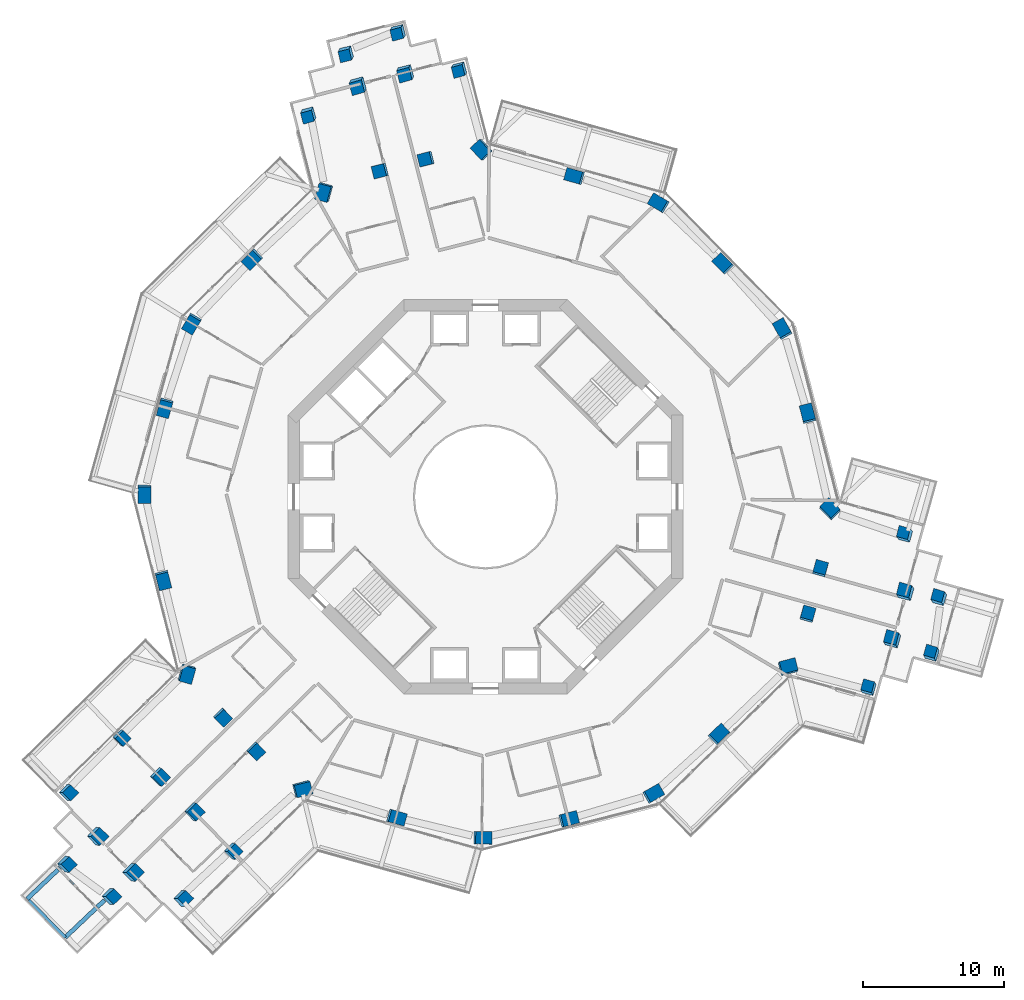
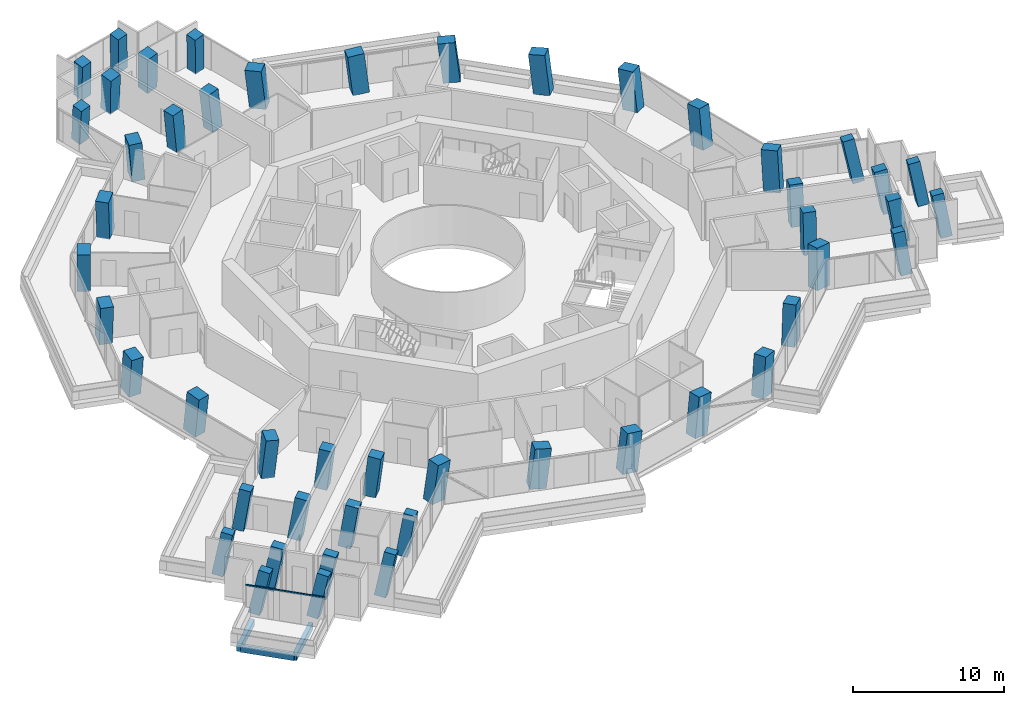
# One storey, part 1 of 26: 49 columns, 3 beams, 1 member, 1 element without a shape of its own.
"""IFC4 building model written with IfcOpenShell, lengths in metres."""

from ifc_helpers import new_model, si_unit, direction, frame, origin, origin_2d, place, context, subcontext, project, spatial, rectangle, extrude, material, layer, layer_set, material_profile, profile_set, type_object, element, aggregate, save


model = new_model("IFC4")

# Units and contexts
model_context = context("Model", 3, precision=1e-05, world=origin(), true_north=direction((0.0, 1.0)))
body_context = subcontext(model_context, "Body", "Model", "MODEL_VIEW")
ifc_project = project(units=[si_unit("LENGTHUNIT", "METRE"), si_unit("AREAUNIT", "SQUARE_METRE"), si_unit("VOLUMEUNIT", "CUBIC_METRE"), si_unit("PLANEANGLEUNIT", "RADIAN"), si_unit("MASSUNIT", "GRAM", prefix="KILO")], contexts=[model_context])

# Site, building, storey
site_placement = place(None, origin())
site = spatial("IfcSite", under=ifc_project, at=site_placement, CompositionType="ELEMENT")
building_placement = place(site_placement, origin())
building = spatial("IfcBuilding", under=site, at=building_placement, Name="Verdalira Terraces Hotel", CompositionType="ELEMENT")
storey_placement = place(building_placement, frame((0.0, 0.0, 93.0)))
storey = spatial("IfcBuildingStorey", under=building, at=storey_placement, Name="L21", CompositionType="ELEMENT", Elevation=93.0)

# Columns
ifc_material_1 = material(Name="Concrete C80", Category="concrete")
ifc_material_profile_1 = material_profile(ifc_material_1, rectangle(XDim=1.149902, YDim=0.899902, at=origin_2d()), Name="RC 1150X900")
ifc_profile_set_1 = profile_set([ifc_material_profile_1], Name="Concrete C80")
column_type_1 = type_object("IfcColumnType", Name="Column RC 1150X900 C80", PredefinedType="COLUMN", material=ifc_profile_set_1)
column_1_placement = place(storey_placement, frame((-11.416504, 21.625, 0.0), z_axis=(-0.102392644, -0.055111111, 0.993216246), x_axis=(0.261860197, 0.961754302, 0.080361056)))
element("IfcColumn", 1, at=column_1_placement, inside=storey, type_object=column_type_1, Name="Column C03", PredefinedType="COLUMN", context=body_context, shape_type="SweptSolid", body=[
    extrude(rectangle(XDim=1.149902, YDim=0.899902, at=origin_2d()), origin(), (0.0, 0.0, 1.0), 3.21167),
])
column_2_placement = place(storey_placement, frame((-16.517822, 16.867432, 0.0), z_axis=(-0.079548847, -0.079244645, 0.993676138), x_axis=(-0.709905463, -0.695289434, -0.11228017)))
element("IfcColumn", 2, at=column_2_placement, inside=storey, type_object=column_type_1, Name="Column C04", PredefinedType="COLUMN", context=body_context, shape_type="SweptSolid", body=[
    extrude(rectangle(XDim=1.149902, YDim=0.899902, at=origin_2d()), origin(), (0.0, 0.0, 1.0), 3.210205),
])
column_3_placement = place(storey_placement, frame((-20.82373, 12.315186, 0.0), z_axis=(-0.057704047, -0.099518574, 0.993361111), x_axis=(0.505557069, 0.855090222, 0.115033745)))
element("IfcColumn", 3, at=column_3_placement, inside=storey, type_object=column_type_1, Name="Column C05", PredefinedType="COLUMN", context=body_context, shape_type="SweptSolid", body=[
    extrude(rectangle(XDim=1.149902, YDim=0.899902, at=origin_2d()), origin(), (0.0, 0.0, 1.0), 3.211182),
])
column_4_placement = place(storey_placement, frame((-22.73877, 6.348633, 0.0), z_axis=(-0.029279539, -0.108372319, 0.993679098), x_axis=(-0.267305592, -0.957051078, -0.112253975)))
element("IfcColumn", 4, at=column_4_placement, inside=storey, type_object=column_type_1, Name="Column C06", PredefinedType="COLUMN", context=body_context, shape_type="SweptSolid", body=[
    extrude(rectangle(XDim=1.149902, YDim=0.899902, at=origin_2d()), origin(), (0.0, 0.0, 1.0), 3.210205),
])
column_5_placement = place(storey_placement, frame((-24.191406, 0.253418, 0.0), z_axis=(-0.000228077, -0.11510311, 0.993353523), x_axis=(0.010401576, 0.993299538, 0.115099243)))
element("IfcColumn", 5, at=column_5_placement, inside=storey, type_object=column_type_1, Name="Column C07", PredefinedType="COLUMN", context=body_context, shape_type="SweptSolid", body=[
    extrude(rectangle(XDim=1.149902, YDim=0.899902, at=origin_2d()), origin(), (0.0, 0.0, 1.0), 3.211182),
])
column_6_placement = place(storey_placement, frame((-22.866699, -5.871094, 0.0), z_axis=(0.028823141, -0.108524069, 0.993675879), x_axis=(0.246911463, -0.962510976, -0.112282459)))
element("IfcColumn", 6, at=column_6_placement, inside=storey, type_object=column_type_1, Name="Column C08", PredefinedType="COLUMN", context=body_context, shape_type="SweptSolid", body=[
    extrude(rectangle(XDim=1.149902, YDim=0.899902, at=origin_2d()), origin(), (0.0, 0.0, 1.0), 3.210205),
])
column_7_placement = place(storey_placement, frame((-21.212402, -12.514893, 0.0), z_axis=(0.060350449, -0.100330722, 0.993122132), x_axis=(0.274530896, 0.958234332, 0.080123357)))
element("IfcColumn", 7, at=column_7_placement, inside=storey, type_object=column_type_1, Name="Column C09", PredefinedType="COLUMN", context=body_context, shape_type="SweptSolid", body=[
    extrude(rectangle(XDim=1.149902, YDim=0.899902, at=origin_2d()), origin(), (0.0, 0.0, 1.0), 3.211914),
])
column_8_placement = place(storey_placement, frame((-13.019531, -20.699707, 0.0), z_axis=(0.098896689, -0.061040769, 0.993223776), x_axis=(-0.963723758, -0.254530475, 0.080316596)))
element("IfcColumn", 8, at=column_8_placement, inside=storey, type_object=column_type_1, Name="Column C16", PredefinedType="COLUMN", context=body_context, shape_type="SweptSolid", body=[
    extrude(rectangle(XDim=1.149902, YDim=0.899902, at=origin_2d()), origin(), (0.0, 0.0, 1.0), 3.21167),
])
column_9_placement = place(storey_placement, frame((-6.348633, -22.73877, 0.0), z_axis=(0.108372319, -0.029279539, 0.993679098), x_axis=(0.957051078, -0.267305592, -0.112253975)))
element("IfcColumn", 9, at=column_9_placement, inside=storey, type_object=column_type_1, Name="Column C17", PredefinedType="COLUMN", context=body_context, shape_type="SweptSolid", body=[
    extrude(rectangle(XDim=1.149902, YDim=0.899902, at=origin_2d()), origin(), (0.0, 0.0, 1.0), 3.210205),
])
column_10_placement = place(storey_placement, frame((-0.253418, -24.191406, 0.0), z_axis=(0.11510311, -0.000228077, 0.993353523), x_axis=(-0.993299538, 0.010401576, 0.115099243)))
element("IfcColumn", 10, at=column_10_placement, inside=storey, type_object=column_type_1, Name="Column C18", PredefinedType="COLUMN", context=body_context, shape_type="SweptSolid", body=[
    extrude(rectangle(XDim=1.149902, YDim=0.899902, at=origin_2d()), origin(), (0.0, 0.0, 1.0), 3.211182),
])
column_11_placement = place(storey_placement, frame((5.871094, -22.866699, 0.0), z_axis=(0.108524069, 0.028823141, 0.993675879), x_axis=(0.962510976, 0.246911463, -0.112282459)))
element("IfcColumn", 11, at=column_11_placement, inside=storey, type_object=column_type_1, Name="Column C19", PredefinedType="COLUMN", context=body_context, shape_type="SweptSolid", body=[
    extrude(rectangle(XDim=1.149902, YDim=0.899902, at=origin_2d()), origin(), (0.0, 0.0, 1.0), 3.210205),
])
column_12_placement = place(storey_placement, frame((11.876221, -21.076904, 0.0), z_axis=(0.099746568, 0.057323866, 0.993360255), x_axis=(-0.865435181, -0.487634582, 0.115041132)))
element("IfcColumn", 12, at=column_12_placement, inside=storey, type_object=column_type_1, Name="Column C20", PredefinedType="COLUMN", context=body_context, shape_type="SweptSolid", body=[
    extrude(rectangle(XDim=1.149902, YDim=0.899902, at=origin_2d()), origin(), (0.0, 0.0, 1.0), 3.211182),
])
column_13_placement = place(storey_placement, frame((16.517822, -16.867432, 0.0), z_axis=(0.079548847, 0.079244645, 0.993676138), x_axis=(0.709905463, 0.695289434, -0.11228017)))
element("IfcColumn", 13, at=column_13_placement, inside=storey, type_object=column_type_1, Name="Column C21", PredefinedType="COLUMN", context=body_context, shape_type="SweptSolid", body=[
    extrude(rectangle(XDim=1.149902, YDim=0.899902, at=origin_2d()), origin(), (0.0, 0.0, 1.0), 3.210205),
])
column_14_placement = place(storey_placement, frame((21.444336, -12.113037, 0.0), z_axis=(0.056777694, 0.102458276, 0.9931156), x_axis=(-0.96720596, -0.24101204, 0.080161264)))
element("IfcColumn", 14, at=column_14_placement, inside=storey, type_object=column_type_1, Name="Column C22", PredefinedType="COLUMN", context=body_context, shape_type="SweptSolid", body=[
    extrude(rectangle(XDim=1.149902, YDim=0.899902, at=origin_2d()), origin(), (0.0, 0.0, 1.0), 3.212158),
])
column_15_placement = place(storey_placement, frame((24.436279, -0.925537, 0.0), z_axis=(0.003420691, 0.116227489, 0.993216728), x_axis=(0.702265044, -0.707365794, 0.08035821)))
element("IfcColumn", 15, at=column_15_placement, inside=storey, type_object=column_type_1, Name="Column C27", PredefinedType="COLUMN", context=body_context, shape_type="SweptSolid", body=[
    extrude(rectangle(XDim=1.149902, YDim=0.899902, at=origin_2d()), origin(), (0.0, 0.0, 1.0), 3.21167),
])
column_16_placement = place(storey_placement, frame((22.866699, 5.871094, 0.0), z_axis=(-0.028823141, 0.108524069, 0.993675879), x_axis=(-0.246911463, 0.962510976, -0.112282459)))
element("IfcColumn", 16, at=column_16_placement, inside=storey, type_object=column_type_1, Name="Column C28", PredefinedType="COLUMN", context=body_context, shape_type="SweptSolid", body=[
    extrude(rectangle(XDim=1.149902, YDim=0.899902, at=origin_2d()), origin(), (0.0, 0.0, 1.0), 3.210205),
])
column_17_placement = place(storey_placement, frame((21.076904, 11.876221, 0.0), z_axis=(-0.057323866, 0.099746568, 0.993360255), x_axis=(0.487634582, -0.865435181, 0.115041132)))
element("IfcColumn", 17, at=column_17_placement, inside=storey, type_object=column_type_1, Name="Column C29", PredefinedType="COLUMN", context=body_context, shape_type="SweptSolid", body=[
    extrude(rectangle(XDim=1.149902, YDim=0.899902, at=origin_2d()), origin(), (0.0, 0.0, 1.0), 3.211182),
])
column_18_placement = place(storey_placement, frame((16.867432, 16.517822, 0.0), z_axis=(-0.079244645, 0.079548847, 0.993676138), x_axis=(-0.695289434, 0.709905463, -0.11228017)))
element("IfcColumn", 18, at=column_18_placement, inside=storey, type_object=column_type_1, Name="Column C30", PredefinedType="COLUMN", context=body_context, shape_type="SweptSolid", body=[
    extrude(rectangle(XDim=1.149902, YDim=0.899902, at=origin_2d()), origin(), (0.0, 0.0, 1.0), 3.210205),
])
column_19_placement = place(storey_placement, frame((12.315186, 20.82373, 0.0), z_axis=(-0.099518574, 0.057704047, 0.993361111), x_axis=(0.855090222, -0.505557069, 0.115033745)))
element("IfcColumn", 19, at=column_19_placement, inside=storey, type_object=column_type_1, Name="Column C31", PredefinedType="COLUMN", context=body_context, shape_type="SweptSolid", body=[
    extrude(rectangle(XDim=1.149902, YDim=0.899902, at=origin_2d()), origin(), (0.0, 0.0, 1.0), 3.211182),
])
column_20_placement = place(storey_placement, frame((6.348633, 22.73877, 0.0), z_axis=(-0.108372319, 0.029279539, 0.993679098), x_axis=(-0.957051078, 0.267305592, -0.112253975)))
element("IfcColumn", 20, at=column_20_placement, inside=storey, type_object=column_type_1, Name="Column C32", PredefinedType="COLUMN", context=body_context, shape_type="SweptSolid", body=[
    extrude(rectangle(XDim=1.149902, YDim=0.899902, at=origin_2d()), origin(), (0.0, 0.0, 1.0), 3.210205),
])
column_21_placement = place(storey_placement, frame((-0.231934, 24.62793, 0.0), z_axis=(-0.117127646, -0.002052204, 0.993114748), x_axis=(0.692287383, -0.717155185, 0.080166207)))
element("IfcColumn", 21, at=column_21_placement, inside=storey, type_object=column_type_1, Name="Column C33", PredefinedType="COLUMN", context=body_context, shape_type="SweptSolid", body=[
    extrude(rectangle(XDim=1.149902, YDim=0.899902, at=origin_2d()), origin(), (0.0, 0.0, 1.0), 3.212158),
])
ifc_material_2 = material(Name="Concrete C80", Category="concrete")
ifc_material_profile_2 = material_profile(ifc_material_2, rectangle(XDim=0.800049, YDim=0.800049, at=origin_2d()), Name="RC 800X800")
ifc_profile_set_2 = profile_set([ifc_material_profile_2], Name="Concrete C80")
column_type_2 = type_object("IfcColumnType", Name="Column RC 800X800 C80", PredefinedType="COLUMN", material=ifc_profile_set_2)
column_22_placement = place(storey_placement, frame((-1.820801, 30.373779, 0.0), z_axis=(-0.101606646, -0.15954949, 0.981947071), x_axis=(-0.26390046, 0.956015231, 0.128029)))
element("IfcColumn", 22, at=column_22_placement, inside=storey, type_object=column_type_2, Name="Column C01", PredefinedType="COLUMN", context=body_context, shape_type="SweptSolid", body=[
    extrude(rectangle(XDim=0.800049, YDim=0.800049, at=origin_2d()), origin(), (0.0, 0.0, 1.0), 3.248535),
])
column_23_placement = place(storey_placement, frame((-12.525879, 27.19165, 0.0), z_axis=(-0.085533768, -0.208129683, 0.97435415), x_axis=(0.268484227, -0.946577239, -0.178627405)))
element("IfcColumn", 23, at=column_23_placement, inside=storey, type_object=column_type_2, Name="Column C02", PredefinedType="COLUMN", context=body_context, shape_type="SweptSolid", body=[
    extrude(rectangle(XDim=0.800049, YDim=0.800049, at=origin_2d()), origin(), (0.0, 0.0, 1.0), 3.273926),
])
column_24_placement = place(storey_placement, frame((-25.862549, -17.068604, 0.0), z_axis=(0.13669492, -0.066040213, 0.988409424), x_axis=(-0.708286762, -0.704086575, 0.050911266)))
element("IfcColumn", 24, at=column_24_placement, inside=storey, type_object=column_type_2, Name="Column C10", PredefinedType="COLUMN", context=body_context, shape_type="SweptSolid", body=[
    extrude(rectangle(XDim=0.800049, YDim=0.800049, at=origin_2d()), origin(), (0.0, 0.0, 1.0), 3.227295),
])
column_25_placement = place(storey_placement, frame((-29.680908, -20.961914, 0.0), z_axis=(0.207954537, -0.027986685, 0.97773803), x_axis=(-0.693213856, -0.709430657, 0.127132576)))
element("IfcColumn", 25, at=column_25_placement, inside=storey, type_object=column_type_2, Name="Column C11", PredefinedType="COLUMN", context=body_context, shape_type="SweptSolid", body=[
    extrude(rectangle(XDim=0.800049, YDim=0.800049, at=origin_2d()), origin(), (0.0, 0.0, 1.0), 3.262451),
])
column_26_placement = place(storey_placement, frame((-29.819092, -26.051758, 0.0), z_axis=(0.230614803, -0.028361601, 0.972631704), x_axis=(0.668903773, -0.721318024, -0.179633098)))
element("IfcColumn", 26, at=column_26_placement, inside=storey, type_object=column_type_2, Name="Column C12", PredefinedType="COLUMN", context=body_context, shape_type="SweptSolid", body=[
    extrude(rectangle(XDim=0.800049, YDim=0.800049, at=origin_2d()), origin(), (0.0, 0.0, 1.0), 3.279785),
])
column_27_placement = place(storey_placement, frame((-26.660889, -28.347656, 0.0), z_axis=(0.240590463, -0.013518822, 0.97053257), x_axis=(0.667529148, -0.723591576, -0.17555645)))
element("IfcColumn", 27, at=column_27_placement, inside=storey, type_object=column_type_2, Name="Column C13", PredefinedType="COLUMN", context=body_context, shape_type="SweptSolid", body=[
    extrude(rectangle(XDim=0.800049, YDim=0.800049, at=origin_2d()), origin(), (0.0, 0.0, 1.0), 3.286865),
])
column_28_placement = place(storey_placement, frame((-21.571045, -28.5, 0.0), z_axis=(0.241089956, 0.01010112, 0.970450205), x_axis=(0.682358416, 0.709290312, -0.176901799)))
element("IfcColumn", 28, at=column_28_placement, inside=storey, type_object=column_type_2, Name="Column C14", PredefinedType="COLUMN", context=body_context, shape_type="SweptSolid", body=[
    extrude(rectangle(XDim=0.800049, YDim=0.800049, at=origin_2d()), origin(), (0.0, 0.0, 1.0), 3.287109),
])
column_29_placement = place(storey_placement, frame((-17.970215, -25.12793, 0.0), z_axis=(0.173806218, -0.028251986, 0.984374534), x_axis=(0.700000107, 0.706629929, -0.103315018)))
element("IfcColumn", 29, at=column_29_placement, inside=storey, type_object=column_type_2, Name="Column C15", PredefinedType="COLUMN", context=body_context, shape_type="SweptSolid", body=[
    extrude(rectangle(XDim=0.800049, YDim=0.800049, at=origin_2d()), origin(), (0.0, 0.0, 1.0), 3.240479),
])
column_30_placement = place(storey_placement, frame((27.214844, -13.610107, 0.0), z_axis=(-0.087402917, 0.167741453, 0.981948845), x_axis=(0.959938643, -0.249254836, 0.128022764)))
element("IfcColumn", 30, at=column_30_placement, inside=storey, type_object=column_type_2, Name="Column C23", PredefinedType="COLUMN", context=body_context, shape_type="SweptSolid", body=[
    extrude(rectangle(XDim=0.800049, YDim=0.800049, at=origin_2d()), origin(), (0.0, 0.0, 1.0), 3.248535),
])
column_31_placement = place(storey_placement, frame((31.691895, -11.18457, 0.0), z_axis=(-0.098430583, 0.187736141, 0.97727507), x_axis=(0.287692097, 0.945479062, -0.152651894)))
element("IfcColumn", 31, at=column_31_placement, inside=storey, type_object=column_type_2, Name="Column C24", PredefinedType="COLUMN", context=body_context, shape_type="SweptSolid", body=[
    extrude(rectangle(XDim=0.800049, YDim=0.800049, at=origin_2d()), origin(), (0.0, 0.0, 1.0), 3.26416),
])
column_32_placement = place(storey_placement, frame((32.224609, -7.232178, 0.0), z_axis=(-0.116769501, 0.189591887, 0.974894764), x_axis=(0.289566517, 0.945460339, -0.149184381)))
element("IfcColumn", 32, at=column_32_placement, inside=storey, type_object=column_type_2, Name="Column C25", PredefinedType="COLUMN", context=body_context, shape_type="SweptSolid", body=[
    extrude(rectangle(XDim=0.800049, YDim=0.800049, at=origin_2d()), origin(), (0.0, 0.0, 1.0), 3.271973),
])
column_33_placement = place(storey_placement, frame((29.811523, -2.748047, 0.0), z_axis=(-0.137511181, 0.178078471, 0.974360679), x_axis=(-0.954072434, 0.240512077, -0.17860496)))
element("IfcColumn", 33, at=column_33_placement, inside=storey, type_object=column_type_2, Name="Column C26", PredefinedType="COLUMN", context=body_context, shape_type="SweptSolid", body=[
    extrude(rectangle(XDim=0.800049, YDim=0.800049, at=origin_2d()), origin(), (0.0, 0.0, 1.0), 3.273926),
])
column_34_placement = place(storey_placement, frame((-6.159912, 33.03833, 0.0), z_axis=(-0.113315066, -0.179135039, 0.977276999), x_axis=(-0.962594287, -0.223856191, -0.152645486)))
element("IfcColumn", 34, at=column_34_placement, inside=storey, type_object=column_type_2, Name="Column C34", PredefinedType="COLUMN", context=body_context, shape_type="SweptSolid", body=[
    extrude(rectangle(XDim=0.800049, YDim=0.800049, at=origin_2d()), origin(), (0.0, 0.0, 1.0), 3.26416),
])
column_35_placement = place(storey_placement, frame((-9.849121, 31.523438, 0.0), z_axis=(-0.105801171, -0.195933622, 0.97489288), x_axis=(-0.963564696, -0.222003261, -0.149189905)))
element("IfcColumn", 35, at=column_35_placement, inside=storey, type_object=column_type_2, Name="Column C35", PredefinedType="COLUMN", context=body_context, shape_type="SweptSolid", body=[
    extrude(rectangle(XDim=0.800049, YDim=0.800049, at=origin_2d()), origin(), (0.0, 0.0, 1.0), 3.271973),
])
ifc_material_3 = material(Name="Concrete C80", Category="concrete")
ifc_material_profile_3 = material_profile(ifc_material_3, rectangle(XDim=0.899902, YDim=0.899902, at=origin_2d()), Name="RC 900X900")
ifc_profile_set_3 = profile_set([ifc_material_profile_3], Name="Concrete C80")
column_type_3 = type_object("IfcColumnType", Name="Column RC 900X900 C80", PredefinedType="COLUMN", material=ifc_profile_set_3)
for number, where, z_axis, x_axis, name in (
    (36, (-4.186279, 23.970215, 0.0), (-0.113802817, -0.020829641, 0.993284977), (-0.247535692, 0.968845386, -0.008043571), "Column C36"),
    (37, (-7.437256, 23.135498, 0.0), (-0.109699705, -0.03626248, 0.993303079), (-0.249411802, 0.968366047, 0.007807238), "Column C37"),
):
    element("IfcColumn", number, at=place(storey_placement, frame(where, z_axis=z_axis, x_axis=x_axis)), inside=storey, type_object=column_type_3, Name=name, PredefinedType="COLUMN", context=body_context, shape_type="SweptSolid", body=[
        extrude(rectangle(XDim=0.899902, YDim=0.899902, at=origin_2d()), origin(), (0.0, 0.0, 1.0), 3.211426),
    ])
column_36_placement = place(storey_placement, frame((-5.63916, 30.126465, 0.0), z_axis=(-0.09989117, -0.177001458, 0.979128305), x_axis=(-0.2665984, 0.952830564, 0.145048992)))
element("IfcColumn", 38, at=column_36_placement, inside=storey, type_object=column_type_3, Name="Column C38", PredefinedType="COLUMN", context=body_context, shape_type="SweptSolid", body=[
    extrude(rectangle(XDim=0.899902, YDim=0.899902, at=origin_2d()), origin(), (0.0, 0.0, 1.0), 3.258057),
])
column_37_placement = place(storey_placement, frame((-9.01001, 29.260986, 0.0), z_axis=(-0.095530524, -0.192257049, 0.976683749), x_axis=(-0.267803977, 0.949959811, 0.160802323)))
element("IfcColumn", 39, at=column_37_placement, inside=storey, type_object=column_type_3, Name="Column C39", PredefinedType="COLUMN", context=body_context, shape_type="SweptSolid", body=[
    extrude(rectangle(XDim=0.899902, YDim=0.899902, at=origin_2d()), origin(), (0.0, 0.0, 1.0), 3.266113),
])
for number, where, z_axis, x_axis, name in (
    (40, (-18.665771, -15.610596, 0.0), (0.074956429, -0.088108014, 0.993286722), (-0.715072732, -0.699003795, -0.008042529), "Column C40"),
    (41, (-16.317383, -18.008545, 0.0), (0.086284292, -0.076933659, 0.993295642), (-0.714082666, -0.700017804, 0.007811557), "Column C41"),
):
    element("IfcColumn", number, at=place(storey_placement, frame(where, z_axis=z_axis, x_axis=x_axis)), inside=storey, type_object=column_type_3, Name=name, PredefinedType="COLUMN", context=body_context, shape_type="SweptSolid", body=[
        extrude(rectangle(XDim=0.899902, YDim=0.899902, at=origin_2d()), origin(), (0.0, 0.0, 1.0), 3.211426),
    ])
column_38_placement = place(storey_placement, frame((-23.146729, -19.841797, 0.0), z_axis=(0.149542975, -0.053046573, 0.987331231), x_axis=(-0.705762773, -0.705078684, 0.069014181)))
element("IfcColumn", 42, at=column_38_placement, inside=storey, type_object=column_type_3, Name="Column C42", PredefinedType="COLUMN", context=body_context, shape_type="SweptSolid", body=[
    extrude(rectangle(XDim=0.899902, YDim=0.899902, at=origin_2d()), origin(), (0.0, 0.0, 1.0), 3.230957),
])
column_39_placement = place(storey_placement, frame((-20.719971, -22.320068, 0.0), z_axis=(0.160977031, -0.041432907, 0.986088084), x_axis=(-0.70323062, -0.705845109, 0.085143269)))
element("IfcColumn", 43, at=column_39_placement, inside=storey, type_object=column_type_3, Name="Column C43", PredefinedType="COLUMN", context=body_context, shape_type="SweptSolid", body=[
    extrude(rectangle(XDim=0.899902, YDim=0.899902, at=origin_2d()), origin(), (0.0, 0.0, 1.0), 3.234863),
])
column_40_placement = place(storey_placement, frame((-27.62793, -24.072998, 0.0), z_axis=(0.221829162, -0.018280573, 0.974914172), x_axis=(-0.689530019, -0.709881933, 0.143582709)))
element("IfcColumn", 44, at=column_40_placement, inside=storey, type_object=column_type_3, Name="Column C44", PredefinedType="COLUMN", context=body_context, shape_type="SweptSolid", body=[
    extrude(rectangle(XDim=0.899902, YDim=0.899902, at=origin_2d()), origin(), (0.0, 0.0, 1.0), 3.271973),
])
column_41_placement = place(storey_placement, frame((-25.122559, -26.631348, 0.0), z_axis=(0.233027443, -0.006475052, 0.972448602), x_axis=(-0.685821029, -0.710051075, 0.159615123)))
element("IfcColumn", 45, at=column_41_placement, inside=storey, type_object=column_type_3, Name="Column C45", PredefinedType="COLUMN", context=body_context, shape_type="SweptSolid", body=[
    extrude(rectangle(XDim=0.899902, YDim=0.899902, at=origin_2d()), origin(), (0.0, 0.0, 1.0), 3.280273),
])
for number, where, z_axis, x_axis, name in (
    (46, (22.852051, -8.359863, 0.0), (0.038846363, 0.109013082, 0.993280981), (0.962880734, -0.269807256, -0.008045955), "Column C46"),
    (47, (23.754639, -5.126953, 0.0), (0.023414819, 0.113120945, 0.993305289), (0.963399329, -0.267956714, 0.007805954), "Column C47"),
):
    element("IfcColumn", number, at=place(storey_placement, frame(where, z_axis=z_axis, x_axis=x_axis)), inside=storey, type_object=column_type_3, Name=name, PredefinedType="COLUMN", context=body_context, shape_type="SweptSolid", body=[
        extrude(rectangle(XDim=0.899902, YDim=0.899902, at=origin_2d()), origin(), (0.0, 0.0, 1.0), 3.211426),
    ])
column_42_placement = place(storey_placement, frame((28.909912, -10.179688, 0.0), z_axis=(-0.103337522, 0.175051814, 0.979121146), x_axis=(0.958440948, -0.245651379, 0.145073602)))
element("IfcColumn", 48, at=column_42_placement, inside=storey, type_object=column_type_3, Name="Column C48", PredefinedType="COLUMN", context=body_context, shape_type="SweptSolid", body=[
    extrude(rectangle(XDim=0.899902, YDim=0.899902, at=origin_2d()), origin(), (0.0, 0.0, 1.0), 3.258057),
])
column_43_placement = place(storey_placement, frame((29.845703, -6.827637, 0.0), z_axis=(-0.118703121, 0.178876933, 0.9766845), x_axis=(0.956551914, -0.243211576, 0.160799766)))
element("IfcColumn", 49, at=column_43_placement, inside=storey, type_object=column_type_3, Name="Column C49", PredefinedType="COLUMN", context=body_context, shape_type="SweptSolid", body=[
    extrude(rectangle(XDim=0.899902, YDim=0.899902, at=origin_2d()), origin(), (0.0, 0.0, 1.0), 3.266113),
])

# Beams
ifc_material_4 = material(Name="Concrete C40", Category="concrete")
ifc_material_profile_4 = material_profile(ifc_material_4, rectangle(XDim=0.300049, YDim=0.5, at=origin_2d()), Name="RC 300X500")
ifc_profile_set_4 = profile_set([ifc_material_profile_4], Name="Concrete C40")
beam_type_1 = type_object("IfcBeamType", Name="Balcony cantilever beam RC 300X500 C40", PredefinedType="BEAM", material=ifc_profile_set_4)
beam_1_placement = place(storey_placement, frame((-30.182617, -26.315186, -0.560059), z_axis=(-0.726070718, -0.687620035, 0.0), x_axis=(0.687620035, -0.726070718, 0.0)))
element("IfcBeam", 50, at=beam_1_placement, inside=storey, type_object=beam_type_1, Name="Balcony cantilever beam R19-1", PredefinedType="BEAM", context=body_context, shape_type="SweptSolid", body=[
    extrude(rectangle(XDim=0.300049, YDim=0.5, at=origin_2d()), origin(), (0.0, 0.0, 1.0), 3.206543),
])
beam_2_placement = place(storey_placement, frame((-27.027832, -28.615723, -0.560059), z_axis=(-0.726085943, -0.687603958, 0.0), x_axis=(0.687603958, -0.726085943, 0.0)))
element("IfcBeam", 51, at=beam_2_placement, inside=storey, type_object=beam_type_1, Name="Balcony cantilever beam R19-2", PredefinedType="BEAM", context=body_context, shape_type="SweptSolid", body=[
    extrude(rectangle(XDim=0.300049, YDim=0.5, at=origin_2d()), origin(), (0.0, 0.0, 1.0), 3.851074),
])
ifc_material_5 = material(Name="Concrete C40", Category="concrete")
ifc_material_profile_5 = material_profile(ifc_material_5, rectangle(XDim=0.25, YDim=0.449951, at=origin_2d()), Name="RC 250X450")
ifc_profile_set_5 = profile_set([ifc_material_profile_5], Name="Concrete C40")
beam_type_2 = type_object("IfcBeamType", Name="Balcony edge beam RC 250X450 C40", PredefinedType="BEAM", material=ifc_profile_set_5)
beam_3_placement = place(storey_placement, frame((-32.405762, -28.627197, -0.534912), z_axis=(0.699657865, -0.714478041, 0.0), x_axis=(0.714478041, 0.699657865, 0.0)))
element("IfcBeam", 52, at=beam_3_placement, inside=storey, type_object=beam_type_2, Name="Balcony edge beam R19-1", PredefinedType="BEAM", context=body_context, shape_type="SweptSolid", body=[
    extrude(rectangle(XDim=0.25, YDim=0.449951, at=origin_2d()), origin(), (0.0, 0.0, 1.0), 3.690186),
])

# Curtain wall, member
ifc_material_6 = material(Name="Clear glass", Category="glass")
ifc_layer = layer(ifc_material_6, 0.14990234375)
ifc_layer_set = layer_set([ifc_layer], Name="CW3 curtain wall")
curtain_wall_type = type_object("IfcCurtainWallType", Name="CW3 curtain wall", PredefinedType="NOTDEFINED", material=ifc_layer_set)
curtain_wall_placement = place(storey_placement, origin())
curtain_wall = element("IfcCurtainWall", 53, at=curtain_wall_placement, inside=storey, type_object=curtain_wall_type, Name="CW3 curtain wall L21 edge 19", PredefinedType="NOTDEFINED")
ifc_material_7 = material(Name="Terracotta frame", Category="masonry")
ifc_material_profile_6 = material_profile(ifc_material_7, rectangle(XDim=0.120117, YDim=0.064941, at=origin_2d()), Name="TR 65x120")
ifc_profile_set_6 = profile_set([ifc_material_profile_6], Name="Terracotta frame")
member_type = type_object("IfcMemberType", Name="CW3 transom 65x120", PredefinedType="USERDEFINED", material=ifc_profile_set_6)
member_placement = place(storey_placement, frame((-30.57959, -26.096924, 2.45752), z_axis=(0.699677197, -0.71445911, 0.0), x_axis=(0.71445911, 0.699677197, 0.0)))
member = element("IfcMember", 54, at=member_placement, type_object=member_type, Name="CW3 transom", ObjectType="TRANSOM", PredefinedType="USERDEFINED", context=body_context, shape_type="SweptSolid", body=[
    extrude(rectangle(XDim=0.120117, YDim=0.064941, at=origin_2d()), origin(), (0.0, 0.0, 1.0), 5.5),
])
aggregate(curtain_wall, [member])

save(model, "model.ifc")
